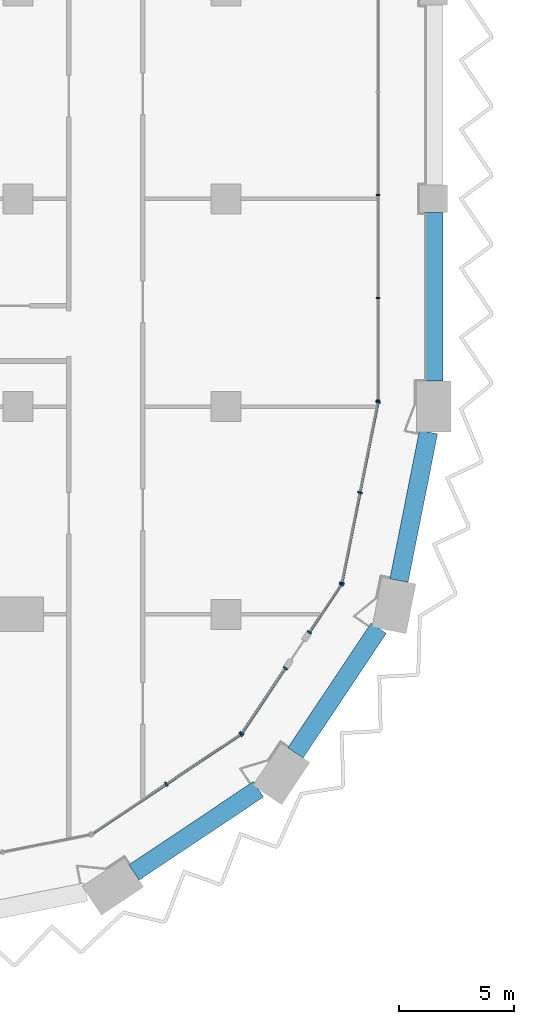
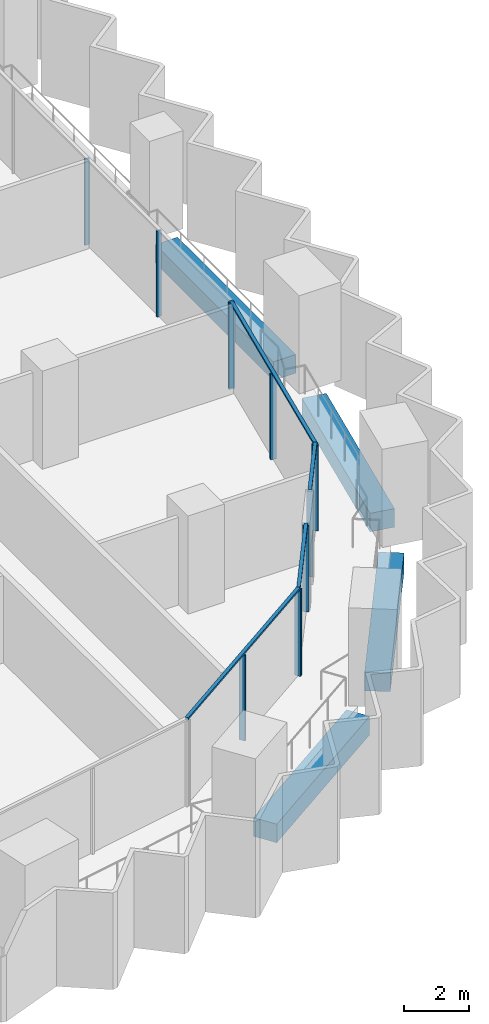
# One storey, part 3 of 22: 16 members, 4 beams, 5 elements without a shape of their own.
"""IFC4 building model written with IfcOpenShell, lengths in metres."""

from ifc_helpers import new_model, si_unit, direction, frame, origin, origin_2d, place, context, subcontext, project, spatial, rectangle, extrude, material, material_profile, profile_set, type_object, element, aggregate, save


model = new_model("IFC4")

# Units and contexts
model_context = context("Model", 3, precision=1e-05, world=origin(), true_north=direction((0.0, 1.0)))
body_context = subcontext(model_context, "Body", "Model", "MODEL_VIEW")
ifc_project = project(units=[si_unit("LENGTHUNIT", "METRE"), si_unit("AREAUNIT", "SQUARE_METRE"), si_unit("VOLUMEUNIT", "CUBIC_METRE"), si_unit("PLANEANGLEUNIT", "RADIAN"), si_unit("MASSUNIT", "GRAM", prefix="KILO")], contexts=[model_context])

# Site, building, storey
site_placement = place(None, origin())
site = spatial("IfcSite", under=ifc_project, at=site_placement, CompositionType="ELEMENT")
building_placement = place(site_placement, origin())
building = spatial("IfcBuilding", under=site, at=building_placement, Name="Hunhe Ridgeline Campus", CompositionType="ELEMENT")
storey_placement = place(building_placement, frame((0.0, 0.0, 118.10009765625)))
storey = spatial("IfcBuildingStorey", under=building, at=storey_placement, Name="L29", CompositionType="ELEMENT", Elevation=118.10009765625)

# Curtain wall, members
ifc_material_1 = material(Name="Aluminium 6063", Category="aluminium")
curtain_wall_type_1 = type_object("IfcCurtainWallType", Name="Curtain wall CW-1", PredefinedType="NOTDEFINED", material=ifc_material_1)
curtain_wall_1_placement = place(storey_placement, origin())
curtain_wall_1 = element("IfcCurtainWall", 1, at=curtain_wall_1_placement, inside=storey, type_object=curtain_wall_type_1, Name="Curtain wall 11", PredefinedType="NOTDEFINED")
ifc_material_profile_1 = material_profile(ifc_material_1, rectangle(XDim=0.159912109375, YDim=0.06005859375, at=origin_2d()))
ifc_profile_set_1 = profile_set([ifc_material_profile_1], Name="Aluminium 6063")
member_type_1 = type_object("IfcMemberType", Name="CW-1 aluminium mullion", PredefinedType="MULLION", material=ifc_profile_set_1)
member_1_placement = place(storey_placement, frame((42.59912109375, 27.266357421875, 0.0), z_axis=(0.0, 0.0, 1.0), x_axis=(-0.99999999994, 1.0947456e-05, 0.0)))
member_1 = element("IfcMember", 2, at=member_1_placement, type_object=member_type_1, Name="CW-1 mullion 1", PredefinedType="MULLION", context=body_context, shape_type="SweptSolid", body=[
    extrude(rectangle(XDim=0.159912109375, YDim=0.06005859375, at=origin_2d()), origin(), (0.0, 0.0, 1.0), 3.239990234375),
])
member_2_placement = place(storey_placement, frame((42.59912109375, 31.697265625, 0.0), z_axis=(0.0, 0.0, 1.0), x_axis=(-0.99999999994, 1.0947456e-05, 0.0)))
member_2 = element("IfcMember", 3, at=member_2_placement, type_object=member_type_1, Name="CW-1 mullion 2", PredefinedType="MULLION", context=body_context, shape_type="SweptSolid", body=[
    extrude(rectangle(XDim=0.159912109375, YDim=0.06005859375, at=origin_2d()), origin(), (0.0, 0.0, 1.0), 3.239990234375),
])
member_3_placement = place(storey_placement, frame((42.59912109375, 36.157958984375, 0.0), z_axis=(0.0, 0.0, 1.0), x_axis=(-0.99999999994, 1.0947456e-05, 0.0)))
member_3 = element("IfcMember", 4, at=member_3_placement, type_object=member_type_1, Name="CW-1 mullion 3", PredefinedType="MULLION", context=body_context, shape_type="SweptSolid", body=[
    extrude(rectangle(XDim=0.159912109375, YDim=0.06005859375, at=origin_2d()), origin(), (0.0, 0.0, 1.0), 3.239990234375),
])
aggregate(curtain_wall_1, [member_1, member_2, member_3])

curtain_wall_type_2 = type_object("IfcCurtainWallType", Name="Curtain wall CW-5", PredefinedType="NOTDEFINED", material=ifc_material_1)
curtain_wall_2_placement = place(storey_placement, origin())
curtain_wall_2 = element("IfcCurtainWall", 5, at=curtain_wall_2_placement, inside=storey, type_object=curtain_wall_type_2, Name="Curtain wall 07", PredefinedType="NOTDEFINED")
ifc_material_profile_2 = material_profile(ifc_material_1, rectangle(XDim=0.199951171875, YDim=0.070068359375, at=origin_2d()))
ifc_profile_set_2 = profile_set([ifc_material_profile_2], Name="Aluminium 6063")
member_type_2 = type_object("IfcMemberType", Name="CW-5 aluminium mullion", PredefinedType="MULLION", material=ifc_profile_set_2)
member_4_placement = place(storey_placement, frame((33.42626953125, 10.647705078125, 0.0), z_axis=(0.0, 0.0, 1.0), x_axis=(-0.555570274596, 0.831469584522, 0.0)))
member_4 = element("IfcMember", 6, at=member_4_placement, type_object=member_type_2, Name="CW-5 mullion 2", PredefinedType="MULLION", context=body_context, shape_type="SweptSolid", body=[
    extrude(rectangle(XDim=0.199951171875, YDim=0.070068359375, at=origin_2d()), origin(), (0.0, 0.0, 1.0), 3.22998046875),
])
member_5_placement = place(storey_placement, frame((36.649658203125, 12.8017578125, 0.0), z_axis=(0.0, 0.0, 1.0), x_axis=(-0.555570274596, 0.831469584522, 0.0)))
member_5 = element("IfcMember", 7, at=member_5_placement, type_object=member_type_2, Name="CW-5 mullion 3", PredefinedType="MULLION", context=body_context, shape_type="SweptSolid", body=[
    extrude(rectangle(XDim=0.199951171875, YDim=0.070068359375, at=origin_2d()), origin(), (0.0, 0.0, 1.0), 3.22998046875),
])

curtain_wall_3_placement = place(storey_placement, origin())
curtain_wall_3 = element("IfcCurtainWall", 8, at=curtain_wall_3_placement, inside=storey, type_object=curtain_wall_type_2, Name="Curtain wall 08", PredefinedType="NOTDEFINED")
member_6_placement = place(storey_placement, frame((36.6982421875, 12.850341796875, 0.0), z_axis=(0.0, 0.0, 1.0), x_axis=(-0.831469595944, 0.555570257501, 0.0)))
member_6 = element("IfcMember", 9, at=member_6_placement, type_object=member_type_2, Name="CW-5 mullion 1", PredefinedType="MULLION", context=body_context, shape_type="SweptSolid", body=[
    extrude(rectangle(XDim=0.199951171875, YDim=0.070068359375, at=origin_2d()), origin(), (0.0, 0.0, 1.0), 3.22998046875),
])
member_7_placement = place(storey_placement, frame((38.582763671875, 15.67041015625, 0.0), z_axis=(0.0, 0.0, 1.0), x_axis=(-0.831469595944, 0.555570257501, 0.0)))
member_7 = element("IfcMember", 10, at=member_7_placement, type_object=member_type_2, Name="CW-5 mullion 2", PredefinedType="MULLION", context=body_context, shape_type="SweptSolid", body=[
    extrude(rectangle(XDim=0.199951171875, YDim=0.070068359375, at=origin_2d()), origin(), (0.0, 0.0, 1.0), 3.22998046875),
])

curtain_wall_4_placement = place(storey_placement, origin())
curtain_wall_4 = element("IfcCurtainWall", 11, at=curtain_wall_4_placement, inside=storey, type_object=curtain_wall_type_2, Name="Curtain wall 09", PredefinedType="NOTDEFINED")
member_8_placement = place(storey_placement, frame((39.62158203125, 17.225341796875, 0.0), z_axis=(0.0, 0.0, 1.0), x_axis=(-0.831469510353, 0.555570385598, 0.0)))
member_8 = element("IfcMember", 12, at=member_8_placement, type_object=member_type_2, Name="CW-5 mullion 1", PredefinedType="MULLION", context=body_context, shape_type="SweptSolid", body=[
    extrude(rectangle(XDim=0.199951171875, YDim=0.070068359375, at=origin_2d()), origin(), (0.0, 0.0, 1.0), 3.22998046875),
])
member_9_placement = place(storey_placement, frame((41.006103515625, 19.29736328125, 0.0), z_axis=(0.0, 0.0, 1.0), x_axis=(-0.831469510353, 0.555570385598, 0.0)))
member_9 = element("IfcMember", 13, at=member_9_placement, type_object=member_type_2, Name="CW-5 mullion 2", PredefinedType="MULLION", context=body_context, shape_type="SweptSolid", body=[
    extrude(rectangle(XDim=0.199951171875, YDim=0.070068359375, at=origin_2d()), origin(), (0.0, 0.0, 1.0), 3.22998046875),
])

curtain_wall_5_placement = place(storey_placement, origin())
curtain_wall_5 = element("IfcCurtainWall", 14, at=curtain_wall_5_placement, inside=storey, type_object=curtain_wall_type_2, Name="Curtain wall 10", PredefinedType="NOTDEFINED")
member_10_placement = place(storey_placement, frame((41.032470703125, 19.36083984375, 0.0), z_axis=(0.0, 0.0, 1.0), x_axis=(-0.980785284939, 0.195090299215, 0.0)))
member_10 = element("IfcMember", 15, at=member_10_placement, type_object=member_type_2, Name="CW-5 mullion 1", PredefinedType="MULLION", context=body_context, shape_type="SweptSolid", body=[
    extrude(rectangle(XDim=0.199951171875, YDim=0.070068359375, at=origin_2d()), origin(), (0.0, 0.0, 1.0), 3.22998046875),
])
member_11_placement = place(storey_placement, frame((41.812255859375, 23.281494140625, 0.0), z_axis=(0.0, 0.0, 1.0), x_axis=(-0.980785284939, 0.195090299215, 0.0)))
member_11 = element("IfcMember", 16, at=member_11_placement, type_object=member_type_2, Name="CW-5 mullion 2", PredefinedType="MULLION", context=body_context, shape_type="SweptSolid", body=[
    extrude(rectangle(XDim=0.199951171875, YDim=0.070068359375, at=origin_2d()), origin(), (0.0, 0.0, 1.0), 3.22998046875),
])
member_12_placement = place(storey_placement, frame((42.59228515625, 27.2021484375, 0.0), z_axis=(0.0, 0.0, 1.0), x_axis=(-0.980785284939, 0.195090299215, 0.0)))
member_12 = element("IfcMember", 17, at=member_12_placement, type_object=member_type_2, Name="CW-5 mullion 3", PredefinedType="MULLION", context=body_context, shape_type="SweptSolid", body=[
    extrude(rectangle(XDim=0.199951171875, YDim=0.070068359375, at=origin_2d()), origin(), (0.0, 0.0, 1.0), 3.22998046875),
])

# Member
ifc_material_profile_3 = material_profile(ifc_material_1, rectangle(XDim=0.1201171875, YDim=0.070068359375, at=origin_2d()))
ifc_profile_set_3 = profile_set([ifc_material_profile_3], Name="Aluminium 6063")
member_type_3 = type_object("IfcMemberType", Name="CW-5 aluminium transom", PredefinedType="USERDEFINED", material=ifc_profile_set_3)
member_13_placement = place(storey_placement, frame((30.173583984375, 8.474365234375, 3.264892578125), z_axis=(0.831473763475, 0.5555640203, 0.0), x_axis=(-0.5555640203, 0.831473763475, 0.0)))
member_13 = element("IfcMember", 18, at=member_13_placement, type_object=member_type_3, Name="CW-5 transom 1", ObjectType="TRANSOM", PredefinedType="USERDEFINED", context=body_context, shape_type="SweptSolid", body=[
    extrude(rectangle(XDim=0.1201171875, YDim=0.070068359375, at=origin_2d()), origin(), (0.0, 0.0, 1.0), 7.823974609375),
])

aggregate(curtain_wall_2, [member_13, member_4, member_5])

member_14_placement = place(storey_placement, frame((36.678955078125, 12.821044921875, 3.264892578125), z_axis=(0.555546133463, 0.831485714606, 0.0), x_axis=(-0.831485714606, 0.555546133463, 0.0)))
member_14 = element("IfcMember", 19, at=member_14_placement, type_object=member_type_3, Name="CW-5 transom 1", ObjectType="TRANSOM", PredefinedType="USERDEFINED", context=body_context, shape_type="SweptSolid", body=[
    extrude(rectangle(XDim=0.1201171875, YDim=0.070068359375, at=origin_2d()), origin(), (0.0, 0.0, 1.0), 3.462158203125),
])

aggregate(curtain_wall_3, [member_14, member_6, member_7])

member_15_placement = place(storey_placement, frame((39.602294921875, 17.1962890625, 3.264892578125), z_axis=(0.555579547735, 0.831463388334, 0.0), x_axis=(-0.831463388334, 0.555579547735, 0.0)))
member_15 = element("IfcMember", 20, at=member_15_placement, type_object=member_type_3, Name="CW-5 transom 1", ObjectType="TRANSOM", PredefinedType="USERDEFINED", context=body_context, shape_type="SweptSolid", body=[
    extrude(rectangle(XDim=0.1201171875, YDim=0.070068359375, at=origin_2d()), origin(), (0.0, 0.0, 1.0), 2.56201171875),
])

aggregate(curtain_wall_4, [member_15, member_8, member_9])

member_16_placement = place(storey_placement, frame((41.025634765625, 19.326416015625, 3.264892578125), z_axis=(0.195097290093, 0.980783894341, 0.0), x_axis=(-0.980783894341, 0.195097290093, 0.0)))
member_16 = element("IfcMember", 21, at=member_16_placement, type_object=member_type_3, Name="CW-5 transom 1", ObjectType="TRANSOM", PredefinedType="USERDEFINED", context=body_context, shape_type="SweptSolid", body=[
    extrude(rectangle(XDim=0.1201171875, YDim=0.070068359375, at=origin_2d()), origin(), (0.0, 0.0, 1.0), 8.065185546875),
])

aggregate(curtain_wall_5, [member_16, member_10, member_11, member_12])

# Beams
ifc_material_2 = material(Name="Concrete C60", Category="concrete")
ifc_material_profile_4 = material_profile(ifc_material_2, rectangle(XDim=0.800048828125, YDim=0.699951171875, at=origin_2d()))
ifc_profile_set_4 = profile_set([ifc_material_profile_4], Name="Concrete C60")
beam_type = type_object("IfcBeamType", Name="RC spandrel beam 800x700 Concrete C60", PredefinedType="SPANDREL", material=ifc_profile_set_4)
for number, where, z_axis, x_axis, name in (
    (22, (32.02490234375, 6.82373046875, -0.60009765625), (0.831459384183, 0.555585540178, 0.0), (-0.555585540178, 0.831459384183, 0.0), "Spandrel beam B1-6 L29"),
    (23, (39.02099609375, 12.004638671875, -0.60009765625), (0.555559527577, 0.831476765351, 0.0), (-0.831476765351, 0.555559527577, 0.0), "Spandrel beam B1-7 L29"),
):
    element("IfcBeam", number, at=place(storey_placement, frame(where, z_axis=z_axis, x_axis=x_axis)), inside=storey, type_object=beam_type, Name=name, PredefinedType="SPANDREL", context=body_context, shape_type="SweptSolid", body=[
        extrude(rectangle(XDim=0.800048828125, YDim=0.699951171875, at=origin_2d()), origin(), (0.0, 0.0, 1.0), 6.488525390625),
    ])
beam_1_placement = place(storey_placement, frame((43.501953125, 19.468505859375, -0.60009765625), z_axis=(0.195092166671, 0.980784913477, 0.0), x_axis=(-0.980784913477, 0.195092166671, 0.0)))
element("IfcBeam", 24, at=beam_1_placement, inside=storey, type_object=beam_type, Name="Spandrel beam B1-8 L29", PredefinedType="SPANDREL", context=body_context, shape_type="SweptSolid", body=[
    extrude(rectangle(XDim=0.800048828125, YDim=0.699951171875, at=origin_2d()), origin(), (0.0, 0.0, 1.0), 6.557373046875),
])
beam_2_placement = place(storey_placement, frame((45.0, 28.10009765625, -0.60009765625), z_axis=(0.0, 1.0, 0.0), x_axis=(-1.0, 0.0, 0.0)))
element("IfcBeam", 25, at=beam_2_placement, inside=storey, type_object=beam_type, Name="Spandrel beam B1-9 L29", PredefinedType="SPANDREL", context=body_context, shape_type="SweptSolid", body=[
    extrude(rectangle(XDim=0.800048828125, YDim=0.699951171875, at=origin_2d()), origin(), (0.0, 0.0, 1.0), 7.2998046875),
])

save(model, "model.ifc")
